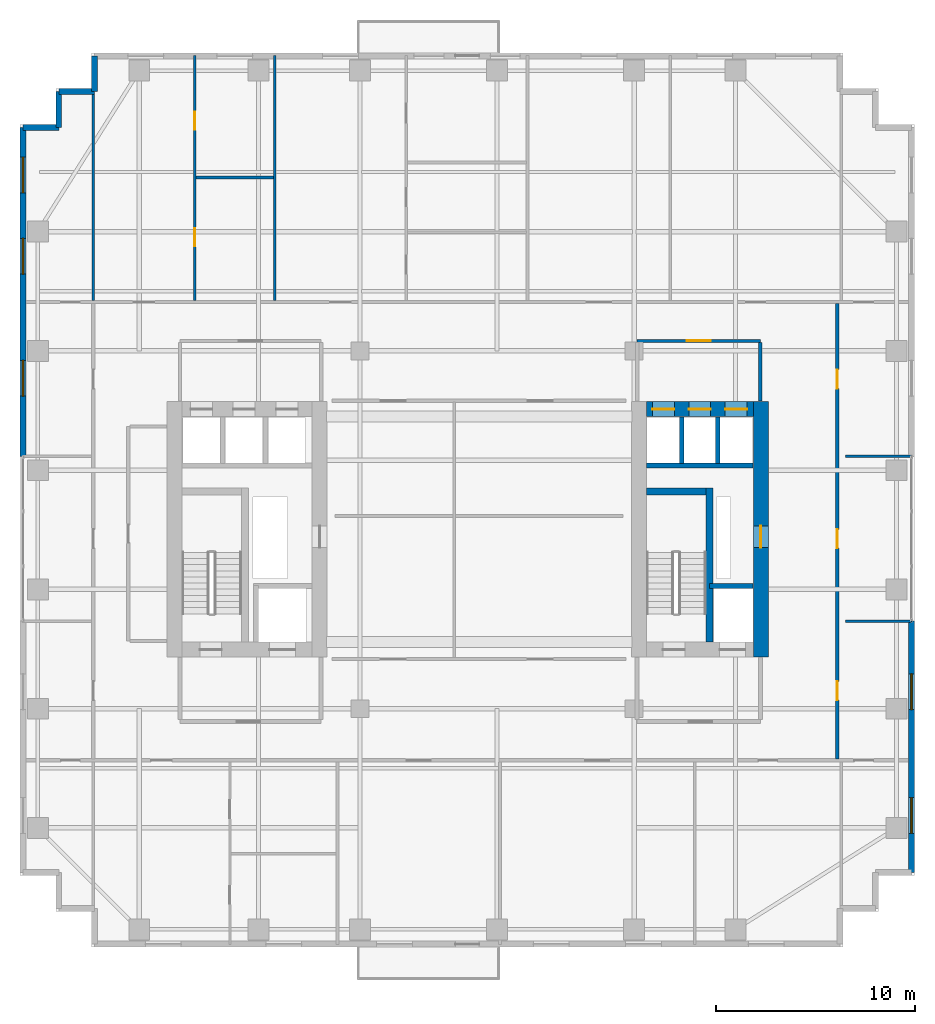
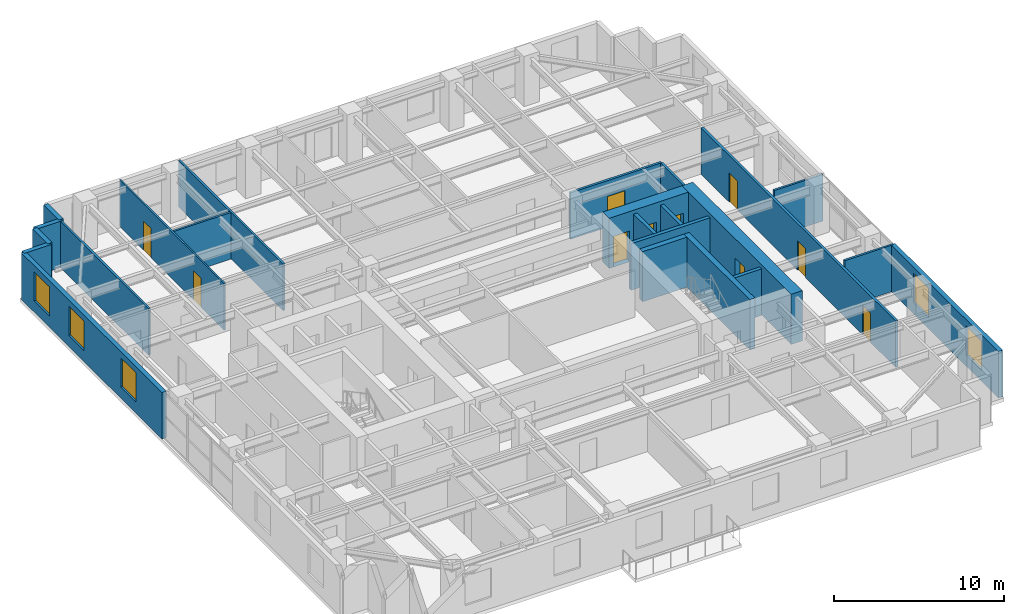
# One storey, part 10 of 14: 23 walls, 10 doors, 5 windows, 15 openings.
"""IFC4 building model written with IfcOpenShell, lengths in metres."""

from ifc_helpers import new_model, si_unit, direction, frame, frame_2d, origin, place, context, subcontext, project, spatial, rectangle, extrude, source, transform, mapped, material, layer, layer_set, type_object, element, fill, save


model = new_model("IFC4")

# Units and contexts
model_context = context("Model", 3, precision=1e-05, world=origin(), true_north=direction((0.0, 1.0)))
body_context = subcontext(model_context, "Body", "Model", "MODEL_VIEW")
ifc_project = project(units=[si_unit("LENGTHUNIT", "METRE"), si_unit("AREAUNIT", "SQUARE_METRE"), si_unit("VOLUMEUNIT", "CUBIC_METRE"), si_unit("PLANEANGLEUNIT", "RADIAN"), si_unit("MASSUNIT", "GRAM", prefix="KILO")], contexts=[model_context])

# Site, building, storey
site_placement = place(None, origin())
site = spatial("IfcSite", under=ifc_project, at=site_placement, CompositionType="ELEMENT")
building_placement = place(site_placement, origin())
building = spatial("IfcBuilding", under=site, at=building_placement, Name="Khoralis Quay Care Tower", CompositionType="ELEMENT")
storey_placement = place(building_placement, frame((0.0, 0.0, 108.89990234375)))
storey = spatial("IfcBuildingStorey", under=building, at=storey_placement, Name="L28", CompositionType="ELEMENT", Elevation=108.89990234375)

# Wall, opening, door
ifc_material_1 = material(Name="Concrete C80/95", Category="concrete")
ifc_layer_1 = layer(ifc_material_1, 0.75)
ifc_layer_set_1 = layer_set([ifc_layer_1], Name="Concrete C80/95")
wall_type_1 = type_object("IfcWallType", Name="WL-CORE-750", PredefinedType="SHEAR", material=ifc_layer_set_1)
wall_1_placement = place(storey_placement, frame((37.27490234375, 14.60009765625, 0.0), z_axis=(0.0, 0.0, 1.0), x_axis=(0.0, 1.0, 0.0)))
wall_1 = element("IfcWall", 1, at=wall_1_placement, inside=storey, type_object=wall_type_1, Name="L28 ECORE East Shear Wall", PredefinedType="SHEAR", context=body_context, shape_type="SweptSolid", body=[
    extrude(rectangle(XDim=12.849853515625, YDim=0.75, at=frame_2d((6.4248046875, 0.0))), origin(), (0.0, 0.0, 1.0), 3.60009765625),
])
opening_1_placement = place(wall_1_placement, frame((5.5, 0.0, 0.0)))
opening_1 = element("IfcOpeningElement", 2, at=opening_1_placement, cuts=wall_1, Name="Opening SD1", PredefinedType="OPENING", context=body_context, shape_type="SweptSolid", body=[
    extrude(rectangle(XDim=1.10009765625, YDim=2.199951171875, at=frame_2d((0.550048828125, 1.10009765625))), frame((0.0, 0.385009765625, 0.0), z_axis=(0.0, -1.0, 0.0), x_axis=(1.0, 0.0, 0.0)), (0.0, 0.0, 1.0), 0.77001953125),
])
ifc_material_2 = material(Name="Fire-rated painted steel", Category="steel")
door_type_1 = type_object("IfcDoorType", Name="DR-STAIR-1100X2200", OperationType="NOTDEFINED", PredefinedType="DOOR", material=ifc_material_2)
shared_shape_1 = source(origin(), body_context, "Body", "SweptSolid", [
    extrude(rectangle(XDim=1.10009765625, YDim=2.199951171875, at=frame_2d((0.550048828125, 1.10009765625))), frame((0.0, 0.02490234375, 0.0), z_axis=(0.0, -1.0, 0.0), x_axis=(1.0, 0.0, 0.0)), (0.0, 0.0, 1.0), 0.050048828125),
])
door_1_placement = place(opening_1_placement, frame((1.10009765625, 0.0, 0.0), z_axis=(0.0, 0.0, 1.0), x_axis=(-1.0, 0.0, 0.0)))
door_1 = element("IfcDoor", 3, at=door_1_placement, inside=storey, type_object=door_type_1, Name="L28 East MEP Riser Door", OperationType="SINGLE_SWING_LEFT", OverallHeight=2.199951171875, OverallWidth=1.10009765625, PredefinedType="DOOR", context=body_context, shape_type="MappedRepresentation", body=[
    mapped(shared_shape_1, transform((0.0, 0.0, 0.0), scale=1.0)),
])
fill(opening_1, door_1)

# Wall, openings, doors
wall_2_placement = place(storey_placement, frame((31.52001953125, 27.074951171875, 0.0), z_axis=(0.0, 0.0, 1.0), x_axis=(1.0, 0.0, 0.0)))
wall_2 = element("IfcWall", 4, at=wall_2_placement, inside=storey, type_object=wall_type_1, Name="L28 ECORE North Shear Wall", PredefinedType="SHEAR", context=body_context, shape_type="SweptSolid", body=[
    extrude(rectangle(XDim=5.3798828125, YDim=0.75, at=frame_2d((2.68994140625, 0.0))), origin(), (0.0, 0.0, 1.0), 3.60009765625),
])
opening_2_placement = place(wall_2_placement, frame((0.300048828125, 0.0, 0.0)))
opening_2 = element("IfcOpeningElement", 5, at=opening_2_placement, cuts=wall_2, Name="Opening LD1", PredefinedType="OPENING", context=body_context, shape_type="SweptSolid", body=[
    extrude(rectangle(XDim=1.10009765625, YDim=2.199951171875, at=frame_2d((0.550048828125, 1.10009765625))), frame((0.0, 0.385009765625, 0.0), z_axis=(0.0, -1.0, 0.0), x_axis=(1.0, 0.0, 0.0)), (0.0, 0.0, 1.0), 0.77001953125),
])
opening_3_placement = place(wall_2_placement, frame((2.1298828125, 0.0, 0.0)))
opening_3 = element("IfcOpeningElement", 6, at=opening_3_placement, cuts=wall_2, Name="Opening LD1", PredefinedType="OPENING", context=body_context, shape_type="SweptSolid", body=[
    extrude(rectangle(XDim=1.10009765625, YDim=2.199951171875, at=frame_2d((0.550048828125, 1.10009765625))), frame((0.0, 0.385009765625, 0.0), z_axis=(0.0, -1.0, 0.0), x_axis=(1.0, 0.0, 0.0)), (0.0, 0.0, 1.0), 0.77001953125),
])
opening_4_placement = place(wall_2_placement, frame((3.9599609375, 0.0, 0.0)))
opening_4 = element("IfcOpeningElement", 7, at=opening_4_placement, cuts=wall_2, Name="Opening LD1", PredefinedType="OPENING", context=body_context, shape_type="SweptSolid", body=[
    extrude(rectangle(XDim=1.10009765625, YDim=2.199951171875, at=frame_2d((0.550048828125, 1.10009765625))), frame((0.0, 0.385009765625, 0.0), z_axis=(0.0, -1.0, 0.0), x_axis=(1.0, 0.0, 0.0)), (0.0, 0.0, 1.0), 0.77001953125),
])
ifc_material_3 = material(Name="Brushed stainless steel", Category="steel")
door_type_2 = type_object("IfcDoorType", Name="DR-LIFT-1100X2200", OperationType="SLIDING_TO_LEFT", PredefinedType="DOOR", material=ifc_material_3)
shared_shape_2 = source(origin(), body_context, "Body", "SweptSolid", [
    extrude(rectangle(XDim=1.10009765625, YDim=2.199951171875, at=frame_2d((0.550048828125, 1.10009765625))), frame((0.0, 0.02490234375, 0.0), z_axis=(0.0, -1.0, 0.0), x_axis=(1.0, 0.0, 0.0)), (0.0, 0.0, 1.0), 0.050048828125),
])
door_2_placement = place(opening_2_placement, origin())
door_2 = element("IfcDoor", 8, at=door_2_placement, inside=storey, type_object=door_type_2, Name="L28 Lift PLL2 Landing Door", OperationType="SLIDING_TO_LEFT", OverallHeight=2.199951171875, OverallWidth=1.10009765625, PredefinedType="DOOR", context=body_context, shape_type="MappedRepresentation", body=[
    mapped(shared_shape_2, transform((0.0, 0.0, 0.0), scale=1.0)),
])
fill(opening_2, door_2)
door_3_placement = place(opening_3_placement, origin())
door_3 = element("IfcDoor", 9, at=door_3_placement, inside=storey, type_object=door_type_2, Name="L28 Lift PLM2 Landing Door", OperationType="SLIDING_TO_LEFT", OverallHeight=2.199951171875, OverallWidth=1.10009765625, PredefinedType="DOOR", context=body_context, shape_type="MappedRepresentation", body=[
    mapped(shared_shape_2, transform((0.0, 0.0, 0.0), scale=1.0)),
])
fill(opening_3, door_3)
door_4_placement = place(opening_4_placement, origin())
door_4 = element("IfcDoor", 10, at=door_4_placement, inside=storey, type_object=door_type_2, Name="L28 Lift PLH2 Landing Door", OperationType="SLIDING_TO_LEFT", OverallHeight=2.199951171875, OverallWidth=1.10009765625, PredefinedType="DOOR", context=body_context, shape_type="MappedRepresentation", body=[
    mapped(shared_shape_2, transform((0.0, 0.0, 0.0), scale=1.0)),
])
fill(opening_4, door_4)

# Wall, opening, door
ifc_material_4 = material(Name="Gypsum plasterboard on acoustic metal stud")
ifc_layer_2 = layer(ifc_material_4, 0.1650390625)
ifc_layer_set_2 = layer_set([ifc_layer_2], Name="Gypsum plasterboard on acoustic metal stud")
wall_type_2 = type_object("IfcWallType", Name="WL-CORR-165", PredefinedType="PARTITIONING", material=ifc_layer_set_2)
wall_3_placement = place(storey_placement, frame((31.050048828125, 30.5, 0.0), z_axis=(0.0, 0.0, 1.0), x_axis=(1.0, 0.0, 0.0)))
wall_3 = element("IfcWall", 11, at=wall_3_placement, inside=storey, type_object=wall_type_2, Name="L28 East Lift Lobby North Wall", PredefinedType="PARTITIONING", context=body_context, shape_type="SweptSolid", body=[
    extrude(rectangle(XDim=6.199951171875, YDim=0.1650390625, at=frame_2d((3.10009765625, 0.0))), origin(), (0.0, 0.0, 1.0), 3.340087890625),
])
opening_5_placement = place(wall_3_placement, frame((2.5, 0.0, 0.0)))
opening_5 = element("IfcOpeningElement", 12, at=opening_5_placement, cuts=wall_3, Name="Opening FD1", PredefinedType="OPENING", context=body_context, shape_type="SweptSolid", body=[
    extrude(rectangle(XDim=1.199951171875, YDim=2.199951171875, at=frame_2d((0.60009765625, 1.10009765625))), frame((0.0, 0.092529296875, 0.0), z_axis=(0.0, -1.0, 0.0), x_axis=(1.0, 0.0, 0.0)), (0.0, 0.0, 1.0), 0.18505859375),
])
door_type_3 = type_object("IfcDoorType", Name="DR-FFL-1200X2200", OperationType="NOTDEFINED", PredefinedType="DOOR", material=ifc_material_2)
shared_shape_3 = source(origin(), body_context, "Body", "SweptSolid", [
    extrude(rectangle(XDim=1.199951171875, YDim=2.199951171875, at=frame_2d((0.60009765625, 1.10009765625))), frame((0.0, 0.02490234375, 0.0), z_axis=(0.0, -1.0, 0.0), x_axis=(1.0, 0.0, 0.0)), (0.0, 0.0, 1.0), 0.050048828125),
])
door_5_placement = place(opening_5_placement, origin())
door_5 = element("IfcDoor", 13, at=door_5_placement, inside=storey, type_object=door_type_3, Name="L28 East Lift Lobby Double Door", OperationType="DOUBLE_DOOR_SINGLE_SWING", OverallHeight=2.199951171875, OverallWidth=1.199951171875, PredefinedType="DOOR", context=body_context, shape_type="MappedRepresentation", body=[
    mapped(shared_shape_3, transform((0.0, 0.0, 0.0), scale=1.0)),
])
fill(opening_5, door_5)

# Wall
wall_4_placement = place(storey_placement, frame((37.25, 27.469970703125, 0.0), z_axis=(0.0, 0.0, 1.0), x_axis=(0.0, 1.0, 0.0)))
element("IfcWall", 14, at=wall_4_placement, inside=storey, type_object=wall_type_2, Name="L28 East Lift Lobby East Wall", PredefinedType="PARTITIONING", context=body_context, shape_type="SweptSolid", body=[
    extrude(rectangle(XDim=2.95263671875, YDim=0.1650390625, at=frame_2d((1.476318359375, 0.0))), origin(), (0.0, 0.0, 1.0), 3.340087890625),
])

# Wall, openings, doors
wall_5_placement = place(storey_placement, frame((41.1201171875, 9.4775390625, 0.0), z_axis=(0.0, 0.0, 1.0), x_axis=(0.0, 1.0, 0.0)))
wall_5 = element("IfcWall", 15, at=wall_5_placement, inside=storey, type_object=wall_type_2, Name="L28 East Loop Corridor Wall", PredefinedType="PARTITIONING", context=body_context, shape_type="SweptSolid", body=[
    extrude(rectangle(XDim=22.905029296875, YDim=0.1650390625, at=frame_2d((11.45263671875, 0.0))), origin(), (0.0, 0.0, 1.0), 3.340087890625),
])
opening_6_placement = place(wall_5_placement, frame((2.947509765625, 0.0, 0.0)))
opening_6 = element("IfcOpeningElement", 16, at=opening_6_placement, cuts=wall_5, Name="Opening ID1", PredefinedType="OPENING", context=body_context, shape_type="SweptSolid", body=[
    extrude(rectangle(XDim=0.949951171875, YDim=2.10009765625, at=frame_2d((0.47509765625, 1.050048828125))), frame((0.0, 0.092529296875, 0.0), z_axis=(0.0, -1.0, 0.0), x_axis=(1.0, 0.0, 0.0)), (0.0, 0.0, 1.0), 0.18505859375),
])
opening_7_placement = place(wall_5_placement, frame((10.597412109375, 0.0, 0.0)))
opening_7 = element("IfcOpeningElement", 17, at=opening_7_placement, cuts=wall_5, Name="Opening ID1", PredefinedType="OPENING", context=body_context, shape_type="SweptSolid", body=[
    extrude(rectangle(XDim=0.949951171875, YDim=2.10009765625, at=frame_2d((0.47509765625, 1.050048828125))), frame((0.0, 0.092529296875, 0.0), z_axis=(0.0, -1.0, 0.0), x_axis=(1.0, 0.0, 0.0)), (0.0, 0.0, 1.0), 0.18505859375),
])
opening_8_placement = place(wall_5_placement, frame((18.62744140625, 0.0, 0.0)))
opening_8 = element("IfcOpeningElement", 18, at=opening_8_placement, cuts=wall_5, Name="Opening ID1", PredefinedType="OPENING", context=body_context, shape_type="SweptSolid", body=[
    extrude(rectangle(XDim=0.949951171875, YDim=2.10009765625, at=frame_2d((0.47509765625, 1.050048828125))), frame((0.0, 0.092529296875, 0.0), z_axis=(0.0, -1.0, 0.0), x_axis=(1.0, 0.0, 0.0)), (0.0, 0.0, 1.0), 0.18505859375),
])
ifc_material_5 = material(Name="Acoustic hardwood timber", Category="wood")
door_type_4 = type_object("IfcDoorType", Name="DR-ROOM-950X2100", OperationType="NOTDEFINED", PredefinedType="DOOR", material=ifc_material_5)
shared_shape_4 = source(origin(), body_context, "Body", "SweptSolid", [
    extrude(rectangle(XDim=0.949951171875, YDim=2.10009765625, at=frame_2d((0.47509765625, 1.050048828125))), frame((0.0, 0.02490234375, 0.0), z_axis=(0.0, -1.0, 0.0), x_axis=(1.0, 0.0, 0.0)), (0.0, 0.0, 1.0), 0.050048828125),
])
door_6_placement = place(opening_6_placement, frame((0.949951171875, 0.0, 0.0), z_axis=(0.0, 0.0, 1.0), x_axis=(-1.0, 0.0, 0.0)))
door_6 = element("IfcDoor", 19, at=door_6_placement, inside=storey, type_object=door_type_4, Name="L28 Therapy Consultation Room Door", OperationType="SINGLE_SWING_LEFT", OverallHeight=2.10009765625, OverallWidth=0.949951171875, PredefinedType="DOOR", context=body_context, shape_type="MappedRepresentation", body=[
    mapped(shared_shape_4, transform((0.0, 0.0, 0.0), scale=1.0)),
])
fill(opening_6, door_6)
door_7_placement = place(opening_7_placement, frame((0.949951171875, 0.0, 0.0), z_axis=(0.0, 0.0, 1.0), x_axis=(-1.0, 0.0, 0.0)))
door_7 = element("IfcDoor", 20, at=door_7_placement, inside=storey, type_object=door_type_4, Name="L28 Assisted Activity Lounge Door", OperationType="SINGLE_SWING_RIGHT", OverallHeight=2.10009765625, OverallWidth=0.949951171875, PredefinedType="DOOR", context=body_context, shape_type="MappedRepresentation", body=[
    mapped(shared_shape_4, transform((0.0, 0.0, 0.0), scale=1.0)),
])
fill(opening_7, door_7)
door_8_placement = place(opening_8_placement, frame((0.949951171875, 0.0, 0.0), z_axis=(0.0, 0.0, 1.0), x_axis=(-1.0, 0.0, 0.0)))
door_8 = element("IfcDoor", 21, at=door_8_placement, inside=storey, type_object=door_type_4, Name="L28 Nurse Charting Office Door", OperationType="SINGLE_SWING_LEFT", OverallHeight=2.10009765625, OverallWidth=0.949951171875, PredefinedType="DOOR", context=body_context, shape_type="MappedRepresentation", body=[
    mapped(shared_shape_4, transform((0.0, 0.0, 0.0), scale=1.0)),
])
fill(opening_8, door_8)

# Wall, openings, windows
ifc_material_6 = material(Name="Precast concrete C45/55", Category="concrete")
ifc_layer_3 = layer(ifc_material_6, 0.300048828125)
ifc_layer_set_3 = layer_set([ifc_layer_3], Name="Precast concrete C45/55")
wall_type_3 = type_object("IfcWallType", Name="WL-EXT-REF-300", PredefinedType="SOLIDWALL", material=ifc_layer_set_3)
wall_6_placement = place(storey_placement, frame((44.85009765625, 3.75, 0.0), z_axis=(0.0, 0.0, 1.0), x_axis=(0.0, 1.0, 0.0)))
wall_6 = element("IfcWall", 22, at=wall_6_placement, inside=storey, type_object=wall_type_3, Name="L28 External Facade Wall WL-EXT-L28-P1-E5A", PredefinedType="SOLIDWALL", context=body_context, shape_type="SweptSolid", body=[
    extrude(rectangle(XDim=12.64990234375, YDim=0.300048828125, at=frame_2d((6.324951171875, 0.0))), origin(), (0.0, 0.0, 1.0), 3.340087890625),
])
opening_9_placement = place(wall_6_placement, frame((1.97509765625, 0.0, 0.800048828125)))
opening_9 = element("IfcOpeningElement", 23, at=opening_9_placement, cuts=wall_6, Name="Opening W2", PredefinedType="OPENING", context=body_context, shape_type="SweptSolid", body=[
    extrude(rectangle(XDim=1.800048828125, YDim=2.10009765625, at=frame_2d((0.89990234375, 1.050048828125))), frame((0.0, 0.16015625, 0.0), z_axis=(0.0, -1.0, 0.0), x_axis=(1.0, 0.0, 0.0)), (0.0, 0.0, 1.0), 0.320068359375),
])
opening_10_placement = place(wall_6_placement, frame((8.199951171875, 0.0, 0.800048828125)))
opening_10 = element("IfcOpeningElement", 24, at=opening_10_placement, cuts=wall_6, Name="Opening W2", PredefinedType="OPENING", context=body_context, shape_type="SweptSolid", body=[
    extrude(rectangle(XDim=1.800048828125, YDim=2.10009765625, at=frame_2d((0.89990234375, 1.050048828125))), frame((0.0, 0.16015625, 0.0), z_axis=(0.0, -1.0, 0.0), x_axis=(1.0, 0.0, 0.0)), (0.0, 0.0, 1.0), 0.320068359375),
])
ifc_material_7 = material(Name="Low-E solar-control double glazing", Category="glass")
window_type = type_object("IfcWindowType", Name="WN-POD-1800X2100", PartitioningType="SINGLE_PANEL", PredefinedType="WINDOW", material=ifc_material_7)
shared_shape_5 = source(origin(), body_context, "Body", "SweptSolid", [
    extrude(rectangle(XDim=1.800048828125, YDim=2.10009765625, at=frame_2d((0.89990234375, 1.050048828125))), frame((0.0, 0.030029296875, 0.0), z_axis=(0.0, -1.0, 0.0), x_axis=(1.0, 0.0, 0.0)), (0.0, 0.0, 1.0), 0.06005859375),
])
window_1_placement = place(opening_9_placement, origin())
window_1 = element("IfcWindow", 25, at=window_1_placement, inside=storey, type_object=window_type, Name="WN-L28-P1-E5A Facade Window 01", OverallHeight=2.10009765625, OverallWidth=1.800048828125, PartitioningType="SINGLE_PANEL", PredefinedType="WINDOW", context=body_context, shape_type="MappedRepresentation", body=[
    mapped(shared_shape_5, transform((0.0, 0.0, 0.0), scale=1.0)),
])
fill(opening_9, window_1)
window_2_placement = place(opening_10_placement, origin())
window_2 = element("IfcWindow", 26, at=window_2_placement, inside=storey, type_object=window_type, Name="WN-L28-P1-E5A Facade Window 02", OverallHeight=2.10009765625, OverallWidth=1.800048828125, PartitioningType="SINGLE_PANEL", PredefinedType="WINDOW", context=body_context, shape_type="MappedRepresentation", body=[
    mapped(shared_shape_5, transform((0.0, 0.0, 0.0), scale=1.0)),
])
fill(opening_10, window_2)

# Walls
for number, where, z_axis, x_axis, name in (
    (27, (3.75, 44.85009765625, 0.0), (0.0, 0.0, 1.0), (0.0, -1.0, 0.0), "L28 External Facade Wall WL-EXT-L28-P1-C11"),
    (28, (3.75, 43.050048828125, 0.0), (0.0, 0.0, 1.0), (-1.0, 0.0, 0.0), "L28 External Facade Wall WL-EXT-L28-P1-C12"),
    (29, (1.949951171875, 43.050048828125, 0.0), (0.0, 0.0, 1.0), (0.0, -1.0, 0.0), "L28 External Facade Wall WL-EXT-L28-P1-C13"),
    (30, (1.949951171875, 41.25, 0.0), (0.0, 0.0, 1.0), (-1.0, 0.0, 0.0), "L28 External Facade Wall WL-EXT-L28-P1-C14"),
):
    element("IfcWall", number, at=place(storey_placement, frame(where, z_axis=z_axis, x_axis=x_axis)), inside=storey, type_object=wall_type_3, Name=name, PredefinedType="SOLIDWALL", context=body_context, shape_type="SweptSolid", body=[
        extrude(rectangle(XDim=1.800048828125, YDim=0.300048828125, at=frame_2d((0.89990234375, 0.0))), origin(), (0.0, 0.0, 1.0), 3.340087890625),
    ])

# Wall, openings, windows
wall_7_placement = place(storey_placement, frame((0.14990234375, 41.25, 0.0), z_axis=(0.0, 0.0, 1.0), x_axis=(0.0, -1.0, 0.0)))
wall_7 = element("IfcWall", 31, at=wall_7_placement, inside=storey, type_object=wall_type_3, Name="L28 External Facade Wall WL-EXT-L28-P1-E15A", PredefinedType="SOLIDWALL", context=body_context, shape_type="SweptSolid", body=[
    extrude(rectangle(XDim=16.550048828125, YDim=0.300048828125, at=frame_2d((8.27490234375, 0.0))), origin(), (0.0, 0.0, 1.0), 3.340087890625),
])
opening_11_placement = place(wall_7_placement, frame((1.50244140625, 0.0, 0.800048828125)))
opening_11 = element("IfcOpeningElement", 32, at=opening_11_placement, cuts=wall_7, Name="Opening W2", PredefinedType="OPENING", context=body_context, shape_type="SweptSolid", body=[
    extrude(rectangle(XDim=1.800048828125, YDim=2.10009765625, at=frame_2d((0.89990234375, 1.050048828125))), frame((0.0, 0.16015625, 0.0), z_axis=(0.0, -1.0, 0.0), x_axis=(1.0, 0.0, 0.0)), (0.0, 0.0, 1.0), 0.320068359375),
])
opening_12_placement = place(wall_7_placement, frame((5.58740234375, 0.0, 0.800048828125)))
opening_12 = element("IfcOpeningElement", 33, at=opening_12_placement, cuts=wall_7, Name="Opening W2", PredefinedType="OPENING", context=body_context, shape_type="SweptSolid", body=[
    extrude(rectangle(XDim=1.800048828125, YDim=2.10009765625, at=frame_2d((0.89990234375, 1.050048828125))), frame((0.0, 0.16015625, 0.0), z_axis=(0.0, -1.0, 0.0), x_axis=(1.0, 0.0, 0.0)), (0.0, 0.0, 1.0), 0.320068359375),
])
opening_13_placement = place(wall_7_placement, frame((11.719970703125, 0.0, 0.800048828125)))
opening_13 = element("IfcOpeningElement", 34, at=opening_13_placement, cuts=wall_7, Name="Opening W2", PredefinedType="OPENING", context=body_context, shape_type="SweptSolid", body=[
    extrude(rectangle(XDim=1.800048828125, YDim=2.10009765625, at=frame_2d((0.89990234375, 1.050048828125))), frame((0.0, 0.16015625, 0.0), z_axis=(0.0, -1.0, 0.0), x_axis=(1.0, 0.0, 0.0)), (0.0, 0.0, 1.0), 0.320068359375),
])
window_3_placement = place(opening_11_placement, origin())
window_3 = element("IfcWindow", 35, at=window_3_placement, inside=storey, type_object=window_type, Name="WN-L28-P1-E15A Facade Window 01", OverallHeight=2.10009765625, OverallWidth=1.800048828125, PartitioningType="SINGLE_PANEL", PredefinedType="WINDOW", context=body_context, shape_type="MappedRepresentation", body=[
    mapped(shared_shape_5, transform((0.0, 0.0, 0.0), scale=1.0)),
])
fill(opening_11, window_3)
window_4_placement = place(opening_12_placement, origin())
window_4 = element("IfcWindow", 36, at=window_4_placement, inside=storey, type_object=window_type, Name="WN-L28-P1-E15A Facade Window 02", OverallHeight=2.10009765625, OverallWidth=1.800048828125, PartitioningType="SINGLE_PANEL", PredefinedType="WINDOW", context=body_context, shape_type="MappedRepresentation", body=[
    mapped(shared_shape_5, transform((0.0, 0.0, 0.0), scale=1.0)),
])
fill(opening_12, window_4)
window_5_placement = place(opening_13_placement, origin())
window_5 = element("IfcWindow", 37, at=window_5_placement, inside=storey, type_object=window_type, Name="WN-L28-P1-E15A Facade Window 03", OverallHeight=2.10009765625, OverallWidth=1.800048828125, PartitioningType="SINGLE_PANEL", PredefinedType="WINDOW", context=body_context, shape_type="MappedRepresentation", body=[
    mapped(shared_shape_5, transform((0.0, 0.0, 0.0), scale=1.0)),
])
fill(opening_13, window_5)

# Wall, openings, doors
ifc_layer_4 = layer(ifc_material_4, 0.114990234375)
ifc_layer_set_4 = layer_set([ifc_layer_4], Name="Gypsum plasterboard on acoustic metal stud")
wall_type_4 = type_object("IfcWallType", Name="WL-PART-115", PredefinedType="PARTITIONING", material=ifc_layer_set_4)
wall_8_placement = place(storey_placement, frame((8.798095703125, 32.53759765625, 0.0), z_axis=(0.0, 0.0, 1.0), x_axis=(0.0, 1.0, 0.0)))
wall_8 = element("IfcWall", 38, at=wall_8_placement, inside=storey, type_object=wall_type_4, Name="L28 Studio 0 Internal Wall", PredefinedType="PARTITIONING", context=body_context, shape_type="SweptSolid", body=[
    extrude(rectangle(XDim=12.3173828125, YDim=0.114990234375, at=frame_2d((6.15869140625, 0.0))), origin(), (0.0, 0.0, 1.0), 3.340087890625),
])
opening_14_placement = place(wall_8_placement, frame((8.6025390625, 0.0, 0.0)))
opening_14 = element("IfcOpeningElement", 39, at=opening_14_placement, cuts=wall_8, Name="Opening WD1", PredefinedType="OPENING", context=body_context, shape_type="SweptSolid", body=[
    extrude(rectangle(XDim=0.89990234375, YDim=2.10009765625, at=frame_2d((0.449951171875, 1.050048828125))), frame((0.0, 0.0673828125, 0.0), z_axis=(0.0, -1.0, 0.0), x_axis=(1.0, 0.0, 0.0)), (0.0, 0.0, 1.0), 0.135009765625),
])
opening_15_placement = place(wall_8_placement, frame((2.722412109375, 0.0, 0.0)))
opening_15 = element("IfcOpeningElement", 40, at=opening_15_placement, cuts=wall_8, Name="Opening WD1", PredefinedType="OPENING", context=body_context, shape_type="SweptSolid", body=[
    extrude(rectangle(XDim=0.89990234375, YDim=2.10009765625, at=frame_2d((0.449951171875, 1.050048828125))), frame((0.0, 0.0673828125, 0.0), z_axis=(0.0, -1.0, 0.0), x_axis=(1.0, 0.0, 0.0)), (0.0, 0.0, 1.0), 0.135009765625),
])
door_type_5 = type_object("IfcDoorType", Name="DR-BATH-900X2100", OperationType="NOTDEFINED", PredefinedType="DOOR", material=ifc_material_5)
shared_shape_6 = source(origin(), body_context, "Body", "SweptSolid", [
    extrude(rectangle(XDim=0.89990234375, YDim=2.10009765625, at=frame_2d((0.449951171875, 1.050048828125))), frame((0.0, 0.02490234375, 0.0), z_axis=(0.0, -1.0, 0.0), x_axis=(1.0, 0.0, 0.0)), (0.0, 0.0, 1.0), 0.050048828125),
])
door_9_placement = place(opening_14_placement, frame((0.89990234375, 0.0, 0.0), z_axis=(0.0, 0.0, 1.0), x_axis=(-1.0, 0.0, 0.0)))
door_9 = element("IfcDoor", 41, at=door_9_placement, inside=storey, type_object=door_type_5, Name="L28 Studio SKT Door", OperationType="SINGLE_SWING_LEFT", OverallHeight=2.10009765625, OverallWidth=0.89990234375, PredefinedType="DOOR", context=body_context, shape_type="MappedRepresentation", body=[
    mapped(shared_shape_6, transform((0.0, 0.0, 0.0), scale=1.0)),
])
fill(opening_14, door_9)
door_10_placement = place(opening_15_placement, frame((0.89990234375, 0.0, 0.0), z_axis=(0.0, 0.0, 1.0), x_axis=(-1.0, 0.0, 0.0)))
door_10 = element("IfcDoor", 42, at=door_10_placement, inside=storey, type_object=door_type_5, Name="L28 Studio SBH Door", OperationType="SINGLE_SWING_RIGHT", OverallHeight=2.10009765625, OverallWidth=0.89990234375, PredefinedType="DOOR", context=body_context, shape_type="MappedRepresentation", body=[
    mapped(shared_shape_6, transform((0.0, 0.0, 0.0), scale=1.0)),
])
fill(opening_15, door_10)

# Walls
ifc_material_8 = material(Name="Moisture-resistant gypsum and ceramic tile")
ifc_layer_5 = layer(ifc_material_8, 0.280029296875)
ifc_layer_set_5 = layer_set([ifc_layer_5], Name="Moisture-resistant gypsum and ceramic tile")
wall_type_5 = type_object("IfcWallType", Name="WL-PLUMB-280", PredefinedType="PLUMBINGWALL", material=ifc_layer_set_5)
wall_9_placement = place(storey_placement, frame((8.8505859375, 38.72998046875, 0.0), z_axis=(0.0, 0.0, 1.0), x_axis=(1.0, 0.0, 0.0)))
element("IfcWall", 43, at=wall_9_placement, inside=storey, type_object=wall_type_5, Name="L28 Studio 0 Wet Split", PredefinedType="PLUMBINGWALL", context=body_context, shape_type="SweptSolid", body=[
    extrude(rectangle(XDim=3.904296875, YDim=0.139892578125, at=frame_2d((1.9521484375, 0.0))), origin(), (0.0, 0.0, 1.0), 3.340087890625),
])
ifc_material_9 = material(Name="Concrete C40/50", Category="concrete")
ifc_layer_6 = layer(ifc_material_9, 0.35009765625)
ifc_layer_set_6 = layer_set([ifc_layer_6], Name="Concrete C40/50")
wall_type_6 = type_object("IfcWallType", Name="WL-SC-CORE-350", PredefinedType="SHEAR", material=ifc_layer_set_6)
wall_10_placement = place(storey_placement, frame((34.695068359375, 15.35009765625, 0.0), z_axis=(0.0, 0.0, 1.0), x_axis=(0.0, 1.0, 0.0)))
element("IfcWall", 44, at=wall_10_placement, inside=storey, type_object=wall_type_6, Name="L28 Stair ST-T2 Shear Baffle Wall East", PredefinedType="SHEAR", context=body_context, shape_type="SweptSolid", body=[
    extrude(rectangle(XDim=7.75, YDim=0.35009765625, at=frame_2d((3.875, 0.0))), origin(), (0.0, 0.0, 1.0), 3.60009765625),
])
wall_11_placement = place(storey_placement, frame((31.52001953125, 22.925048828125, 0.0), z_axis=(0.0, 0.0, 1.0), x_axis=(1.0, 0.0, 0.0)))
element("IfcWall", 45, at=wall_11_placement, inside=storey, type_object=wall_type_6, Name="L28 Stair ST-T2 Shear Baffle Wall North", PredefinedType="SHEAR", context=body_context, shape_type="SweptSolid", body=[
    extrude(rectangle(XDim=3.0, YDim=0.35009765625, at=frame_2d((1.5, 0.0))), origin(), (0.0, 0.0, 1.0), 3.60009765625),
])
ifc_layer_7 = layer(ifc_material_4, 0.239990234375)
ifc_layer_set_7 = layer_set([ifc_layer_7], Name="Gypsum plasterboard on acoustic metal stud")
wall_type_7 = type_object("IfcWallType", Name="WL-SHAFT-240", PredefinedType="PARTITIONING", material=ifc_layer_set_7)
wall_12_placement = place(storey_placement, frame((34.679931640625, 18.169921875, 0.0), z_axis=(0.0, 0.0, 1.0), x_axis=(1.0, 0.0, 0.0)))
element("IfcWall", 46, at=wall_12_placement, inside=storey, type_object=wall_type_7, Name="L28 FFL-2 Shaft Wall North", PredefinedType="PARTITIONING", context=body_context, shape_type="SweptSolid", body=[
    extrude(rectangle(XDim=2.199951171875, YDim=0.239990234375, at=frame_2d((1.10009765625, 0.0))), origin(), (0.0, 0.0, 1.0), 3.340087890625),
])
wall_13_placement = place(storey_placement, frame((31.52001953125, 24.22998046875, 0.0), z_axis=(0.0, 0.0, 1.0), x_axis=(1.0, 0.0, 0.0)))
element("IfcWall", 47, at=wall_13_placement, inside=storey, type_object=wall_type_7, Name="L28 East Passenger Shaft South Wall", PredefinedType="PARTITIONING", context=body_context, shape_type="SweptSolid", body=[
    extrude(rectangle(XDim=5.35986328125, YDim=0.239990234375, at=frame_2d((2.679931640625, 0.0))), origin(), (0.0, 0.0, 1.0), 3.340087890625),
])
for number, where, z_axis, x_axis, name in (
    (48, (33.2900390625, 24.344970703125, 0.0), (0.0, 0.0, 1.0), (0.0, 1.0, 0.0), "L28 East Shaft Divider 1"),
    (49, (35.110107421875, 24.344970703125, 0.0), (0.0, 0.0, 1.0), (0.0, 1.0, 0.0), "L28 East Shaft Divider 2"),
):
    element("IfcWall", number, at=place(storey_placement, frame(where, z_axis=z_axis, x_axis=x_axis)), inside=storey, type_object=wall_type_7, Name=name, PredefinedType="PARTITIONING", context=body_context, shape_type="SweptSolid", body=[
        extrude(rectangle(XDim=2.3349609375, YDim=0.239990234375, at=frame_2d((1.16748046875, 0.0))), origin(), (0.0, 0.0, 1.0), 3.340087890625),
    ])
ifc_layer_8 = layer(ifc_material_4, 0.139892578125)
ifc_layer_set_8 = layer_set([ifc_layer_8], Name="Gypsum plasterboard on acoustic metal stud")
wall_type_8 = type_object("IfcWallType", Name="WL-UNIT-140", PredefinedType="PARTITIONING", material=ifc_layer_set_8)
for number, where, z_axis, x_axis, name in (
    (50, (41.5400390625, 16.39990234375, 0.0), (0.0, 0.0, 1.0), (1.0, 0.0, 0.0), "L28 EE Divider 1"),
    (51, (41.5400390625, 24.699951171875, 0.0), (0.0, 0.0, 1.0), (1.0, 0.0, 0.0), "L28 EE Divider 2"),
):
    element("IfcWall", number, at=place(storey_placement, frame(where, z_axis=z_axis, x_axis=x_axis)), inside=storey, type_object=wall_type_8, Name=name, PredefinedType="PARTITIONING", context=body_context, shape_type="SweptSolid", body=[
        extrude(rectangle(XDim=3.31494140625, YDim=0.139892578125, at=frame_2d((1.657470703125, 0.0))), origin(), (0.0, 0.0, 1.0), 3.340087890625),
    ])
wall_14_placement = place(storey_placement, frame((3.679931640625, 32.53759765625, 0.0), z_axis=(0.0, 0.0, 1.0), x_axis=(0.0, 1.0, 0.0)))
element("IfcWall", 52, at=wall_14_placement, inside=storey, type_object=wall_type_8, Name="L28 NB Demising Wall 0", PredefinedType="PARTITIONING", context=body_context, shape_type="SweptSolid", body=[
    extrude(rectangle(XDim=10.517333984375, YDim=0.139892578125, at=frame_2d((5.2587890625, 0.0))), origin(), (0.0, 0.0, 1.0), 3.340087890625),
])
wall_15_placement = place(storey_placement, frame((12.820068359375, 32.53759765625, 0.0), z_axis=(0.0, 0.0, 1.0), x_axis=(0.0, 1.0, 0.0)))
element("IfcWall", 53, at=wall_15_placement, inside=storey, type_object=wall_type_8, Name="L28 NB Demising Wall 1", PredefinedType="PARTITIONING", context=body_context, shape_type="SweptSolid", body=[
    extrude(rectangle(XDim=12.3173828125, YDim=0.139892578125, at=frame_2d((6.15869140625, 0.0))), origin(), (0.0, 0.0, 1.0), 3.340087890625),
])

save(model, "model.ifc")
